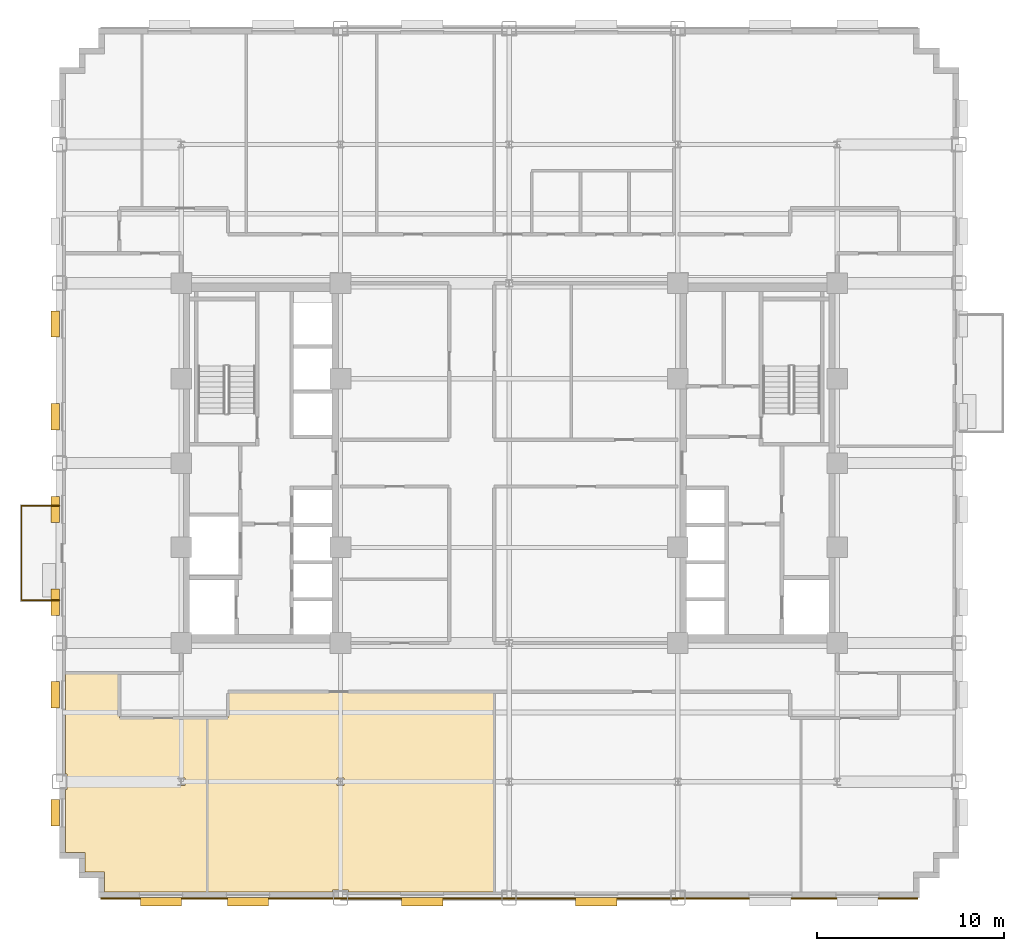
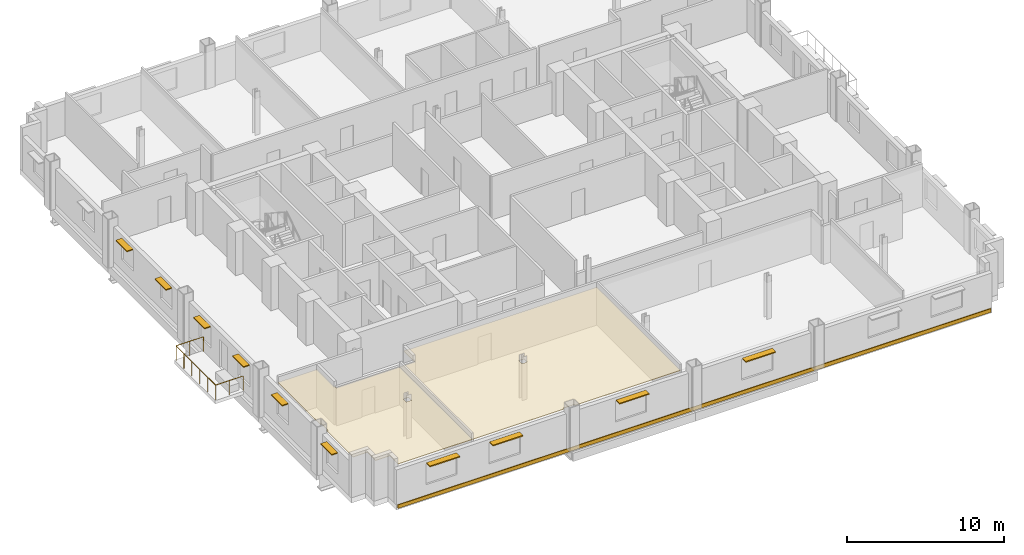
# One storey, part 11 of 15: 10 shading devices, 3 coverings, 1 railing.
"""IFC4 building model written with IfcOpenShell, lengths in metres."""

import ifcopenshell
import ifcopenshell.guid

model = None  # the IFC model being written
_history = None  # IfcOwnerHistory: only IFC2X3 demands one
_inside = {}  # id of a spatial element -> (the spatial element, [elements in it])
_under = {}  # id of a project, library or spatial element -> (it, [spatial elements below it])
_declared = {}  # id of a project -> (the project, [libraries it declares])
_typed = {}  # id of a type object -> (the type object, [elements of that type])
_made_of = {}  # id of a material, layer set ... -> (it, [elements and type objects made of it])


def new_model(schema):
    """Start an empty IFC model of exactly this schema.

    Asked for "IFC4X3", IfcOpenShell would pick the latest addendum, in which some entities
    have other attributes; the version numbers below select the first issue.
    IFC2X3 requires an IfcOwnerHistory on every rooted entity: one is made here for all.
    """
    global model, _history
    if schema == "IFC4X3":
        model = ifcopenshell.file(schema_version=(4, 3, 0, 0))
    else:
        model = ifcopenshell.file(schema=schema)
    _inside.clear()
    _under.clear()
    _declared.clear()
    _typed.clear()
    _made_of.clear()
    _history = None
    if model.schema == "IFC2X3":
        org = make("IfcOrganization", Name="unknown")
        user = make(
            "IfcPersonAndOrganization",
            ThePerson=make("IfcPerson", FamilyName="unknown"),
            TheOrganization=org,
        )
        app = make(
            "IfcApplication",
            ApplicationDeveloper=org,
            Version="unknown",
            ApplicationFullName="unknown",
            ApplicationIdentifier="unknown",
        )
        _history = make(
            "IfcOwnerHistory",
            OwningUser=user,
            OwningApplication=app,
            ChangeAction="ADDED",
            CreationDate=0,
        )
    return model


def make(cls, **values):
    """One entity of the class cls with the attributes given. An attribute that is None is left unset."""
    return model.create_entity(
        cls, **{name: value for name, value in values.items() if value is not None}
    )


def rooted(cls, **values):
    """An entity with a GlobalId (a new one), such as an element, a storey or a relation."""
    return make(cls, GlobalId=ifcopenshell.guid.new(), OwnerHistory=_history, **values)


def si_unit(unit_type, name, prefix=None):
    """IfcSIUnit, for example si_unit("LENGTHUNIT", "METRE", prefix="MILLI")."""
    return make("IfcSIUnit", UnitType=unit_type, Prefix=prefix, Name=name)


def assignment(units):
    """IfcUnitAssignment: the units of a project."""
    return None if units is None else make("IfcUnitAssignment", Units=units)


def point(xyz):
    """IfcCartesianPoint."""
    return None if xyz is None else make("IfcCartesianPoint", Coordinates=xyz)


def direction(xyz):
    """IfcDirection."""
    return None if xyz is None else make("IfcDirection", DirectionRatios=xyz)


def frame(location, z_axis=None, x_axis=None):
    """IfcAxis2Placement3D, a coordinate frame: its origin and axes. An axis left out is left unset."""
    return make(
        "IfcAxis2Placement3D",
        Location=point(location),
        Axis=direction(z_axis),
        RefDirection=direction(x_axis),
    )


def frame_2d(location, x_axis=None):
    """IfcAxis2Placement2D, a coordinate frame in the plane: its origin and x axis."""
    return make(
        "IfcAxis2Placement2D", Location=point(location), RefDirection=direction(x_axis)
    )


def origin():
    """The frame at (0, 0, 0) with its axes left unset."""
    return frame((0.0, 0.0, 0.0))


def origin_2d():
    """The frame at (0, 0) in the plane with its x axis left unset."""
    return frame_2d((0.0, 0.0))


def place(relative_to, where):
    """IfcLocalPlacement: puts the frame where relative to a parent placement (None: the world)."""
    return make(
        "IfcLocalPlacement", PlacementRelTo=relative_to, RelativePlacement=where
    )


def context(
    kind, dimensions, precision=None, world=None, true_north=None, identifier=None
):
    """IfcGeometricRepresentationContext, for example the 3D "Model" context."""
    return make(
        "IfcGeometricRepresentationContext",
        ContextIdentifier=identifier,
        ContextType=kind,
        CoordinateSpaceDimension=dimensions,
        Precision=precision,
        WorldCoordinateSystem=world,
        TrueNorth=true_north,
    )


def subcontext(parent, identifier, kind, view, scale=None):
    """IfcGeometricRepresentationSubContext, for example "Body" below "Model"."""
    return make(
        "IfcGeometricRepresentationSubContext",
        ContextIdentifier=identifier,
        ContextType=kind,
        ParentContext=parent,
        TargetScale=scale,
        TargetView=view,
    )


def project(units=None, contexts=None):
    """IfcProject with its units and contexts."""
    return rooted(
        "IfcProject",
        Name="project",
        RepresentationContexts=contexts,
        UnitsInContext=assignment(units),
    )


def spatial(cls, under=None, at=None, **own):
    """A site, building, storey or space (cls), placed at a placement, below another one or the project."""
    s = rooted(cls, ObjectPlacement=at, **own)
    if under is not None:
        _under.setdefault(under.id(), (under, []))[1].append(s)
    return s


def polyline(points):
    """IfcPolyline through the points."""
    return make("IfcPolyline", Points=[point(p) for p in points])


def profile(cls, at=None, kind="AREA", **sizes):
    """A parametric profile (cls). Its sizes go by their IFC names, for example OverallWidth=200.0."""
    return make(cls, ProfileType=kind, Position=at, **sizes)


def rectangle(**sizes):
    """IfcRectangleProfileDef."""
    return profile("IfcRectangleProfileDef", **sizes)


def circle(**sizes):
    """IfcCircleProfileDef."""
    return profile("IfcCircleProfileDef", **sizes)


def outline(outer, holes=None, kind="AREA"):
    """IfcArbitraryClosedProfileDef: a profile drawn as a closed curve; with holes, ...WithVoids."""
    if holes is None:
        return make("IfcArbitraryClosedProfileDef", ProfileType=kind, OuterCurve=outer)
    return make(
        "IfcArbitraryProfileDefWithVoids",
        ProfileType=kind,
        OuterCurve=outer,
        InnerCurves=holes,
    )


def extrude(swept, where, along, depth):
    """IfcExtrudedAreaSolid: the profile swept, set in the frame where, extruded along a direction by depth."""
    return make(
        "IfcExtrudedAreaSolid",
        SweptArea=swept,
        Position=where,
        ExtrudedDirection=direction(along),
        Depth=depth,
    )


def shape(context_of_items, identifier, shape_type, items):
    """IfcShapeRepresentation: the items that make up one representation, for example the "Body"."""
    return make(
        "IfcShapeRepresentation",
        ContextOfItems=context_of_items,
        RepresentationIdentifier=identifier,
        RepresentationType=shape_type,
        Items=items,
    )


def source(mapping_origin, context_of_items, identifier, shape_type, items):
    """IfcRepresentationMap: a shape defined once, which mapped items show again and again."""
    return make(
        "IfcRepresentationMap",
        MappingOrigin=mapping_origin,
        MappedRepresentation=shape(context_of_items, identifier, shape_type, items),
    )


def transform(
    local_origin,
    x_axis=None,
    y_axis=None,
    z_axis=None,
    scale=None,
    scale2=None,
    scale3=None,
    uniform=True,
):
    """IfcCartesianTransformationOperator3D, or its non-uniform kind. x_axis, y_axis, z_axis: its Axis1, 2, 3."""
    if uniform:
        return make(
            "IfcCartesianTransformationOperator3D",
            Axis1=direction(x_axis),
            Axis2=direction(y_axis),
            LocalOrigin=point(local_origin),
            Scale=scale,
            Axis3=direction(z_axis),
        )
    return make(
        "IfcCartesianTransformationOperator3DnonUniform",
        Axis1=direction(x_axis),
        Axis2=direction(y_axis),
        LocalOrigin=point(local_origin),
        Scale=scale,
        Axis3=direction(z_axis),
        Scale2=scale2,
        Scale3=scale3,
    )


def mapped(mapping_source, mapping_target):
    """IfcMappedItem: shows the shape of a source again, moved by a transform."""
    return make(
        "IfcMappedItem", MappingSource=mapping_source, MappingTarget=mapping_target
    )


def material(Name=None, Category=None):
    """IfcMaterial."""
    return make("IfcMaterial", Name=Name, Category=Category)


def layer(
    of_material, thickness, ventilated=None, Name=None, Category=None, Priority=None
):
    """IfcMaterialLayer: one layer of a wall or slab, of a material (None: an air gap)."""
    return make(
        "IfcMaterialLayer",
        Material=of_material,
        LayerThickness=thickness,
        IsVentilated=ventilated,
        Name=Name,
        Category=Category,
        Priority=Priority,
    )


def layer_set(layers, Name=None):
    """IfcMaterialLayerSet."""
    return make("IfcMaterialLayerSet", MaterialLayers=layers, LayerSetName=Name)


def made_of(thing, what):
    """Note that an element or type object is made of a material, layer set ...; save() writes the relation."""
    if what is not None:
        _made_of.setdefault(what.id(), (what, []))[1].append(thing)
    return thing


def type_object(cls, material=None, **own):
    """A type object (cls), such as IfcWallType, which elements share."""
    return made_of(rooted(cls, **own), material)


def type_shapes(of_type, sources):
    """Give a type object the sources (RepresentationMaps) that its elements show as mapped items."""
    of_type.RepresentationMaps = sources


def element(
    cls,
    number,
    at=None,
    inside=None,
    cuts=None,
    type_object=None,
    material=None,
    context=None,
    identifier="Body",
    shape_type=None,
    held_by="IfcProductDefinitionShape",
    body=None,
    shapes=None,
    **own,
):
    """One element of the class cls, such as IfcWall. Its Tag is "e" and its number.

    at: its placement. inside: the storey or other place that contains it. cuts: it is an
    opening in that element (IfcRelVoidsElement). A single representation is given by context,
    identifier, shape_type and body (its items); several are given by shapes. held_by: the class
    of the entity that holds the representations. save() writes the other relations.
    """
    e = rooted(cls, Tag="e%d" % number, ObjectPlacement=at, **own)
    if body is not None:
        shapes = [shape(context, identifier, shape_type, body)]
    if shapes is not None:
        e.Representation = make(held_by, Representations=shapes)
    if inside is not None:
        _inside.setdefault(inside.id(), (inside, []))[1].append(e)
    if cuts is not None:
        rooted(
            "IfcRelVoidsElement", RelatingBuildingElement=cuts, RelatedOpeningElement=e
        )
    if type_object is not None:
        _typed.setdefault(type_object.id(), (type_object, []))[1].append(e)
    return made_of(e, material)


def aggregate(whole, parts):
    """IfcRelAggregates: a whole, such as a stair, and the parts it consists of."""
    return rooted("IfcRelAggregates", RelatingObject=whole, RelatedObjects=parts)


def save(model, path):
    """Write the relations noted so far, then the file.

    IfcRelAggregates (storeys below a building ...), IfcRelContainedInSpatialStructure (elements
    in a storey), IfcRelDefinesByType, IfcRelAssociatesMaterial and IfcRelDeclares: one each for
    every whole, place, type object, material and project.
    """
    for whole, parts in _under.values():
        aggregate(whole, parts)
    for where, things in _inside.values():
        rooted(
            "IfcRelContainedInSpatialStructure",
            RelatedElements=things,
            RelatingStructure=where,
        )
    for kind, things in _typed.values():
        rooted("IfcRelDefinesByType", RelatedObjects=things, RelatingType=kind)
    for what, things in _made_of.values():
        rooted("IfcRelAssociatesMaterial", RelatedObjects=things, RelatingMaterial=what)
    for by, libraries in _declared.values():
        rooted("IfcRelDeclares", RelatingContext=by, RelatedDefinitions=libraries)
    model.write(path)


model = new_model("IFC4")

# Units and contexts
model_context = context("Model", 3, precision=1e-05, world=origin(), true_north=direction((0.0, 1.0)))
body_context = subcontext(model_context, "Body", "Model", "MODEL_VIEW")
ifc_project = project(units=[si_unit("LENGTHUNIT", "METRE"), si_unit("AREAUNIT", "SQUARE_METRE"), si_unit("VOLUMEUNIT", "CUBIC_METRE"), si_unit("PLANEANGLEUNIT", "RADIAN"), si_unit("MASSUNIT", "GRAM", prefix="KILO")], contexts=[model_context])

# Site, building, storey
site_placement = place(None, origin())
site = spatial("IfcSite", under=ifc_project, at=site_placement, CompositionType="ELEMENT")
building_placement = place(site_placement, origin())
building = spatial("IfcBuilding", under=site, at=building_placement, Name="Nuvemarco Arch Tower", CompositionType="ELEMENT")
storey_placement = place(building_placement, frame((0.0, 0.0, 86.0)))
storey = spatial("IfcBuildingStorey", under=building, at=storey_placement, Name="L22", CompositionType="ELEMENT", Elevation=86.0)

# Coverings
ifc_material_1 = material(Name="Mineral acoustic ceiling tile")
ifc_layer_1 = layer(ifc_material_1, 0.0400390625, Name="COV-ACOUSTIC-CLG")
ifc_layer_set_1 = layer_set([ifc_layer_1], Name="Mineral acoustic ceiling tile")
covering_type_1 = type_object("IfcCoveringType", Name="COV-ACOUSTIC-CLG", PredefinedType="CEILING", material=ifc_layer_set_1)
covering_1_placement = place(storey_placement, frame((0.0, 0.0, 2.85009765625)))
element("IfcCovering", 1, at=covering_1_placement, inside=storey, type_object=covering_type_1, Name="L22 suspended acoustic ceiling 2", PredefinedType="CEILING", context=body_context, shape_type="SweptSolid", body=[
    extrude(outline(polyline([(-3.199951171875, -12.199951171875), (-0.800048828125, -12.199951171875), (-0.800048828125, -22.8798828125), (-8.5849609375, -22.8798828125), (-8.5849609375, -22.784912109375), (-9.4150390625, -22.784912109375), (-9.4150390625, -22.8798828125), (-16.110107421875, -22.8798828125), (-16.110107421875, -13.60009765625), (-15.0, -13.60009765625), (-15.0, -12.199951171875), (-3.199951171875, -12.199951171875)]), holes=[polyline([(-8.804931640625, -17.195068359375), (-8.804931640625, -16.804931640625), (-9.195068359375, -16.804931640625), (-9.195068359375, -17.195068359375), (-8.804931640625, -17.195068359375)])]), origin(), (0.0, 0.0, 1.0), 0.039794921875),
])
covering_2_placement = place(storey_placement, frame((0.0, 0.0, 2.85009765625)))
element("IfcCovering", 2, at=covering_2_placement, inside=storey, type_object=covering_type_1, Name="L22 suspended acoustic ceiling 7", PredefinedType="CEILING", context=body_context, shape_type="SweptSolid", body=[
    extrude(outline(polyline([(-23.679931640625, -20.780029296875), (-23.679931640625, -17.4150390625), (-23.5849609375, -17.4150390625), (-23.5849609375, -16.5849609375), (-23.679931640625, -16.5849609375), (-23.679931640625, -11.199951171875), (-20.800048828125, -11.199951171875), (-20.800048828125, -13.60009765625), (-16.110107421875, -13.60009765625), (-16.110107421875, -22.8798828125), (-21.580078125, -22.8798828125), (-21.580078125, -21.830078125), (-22.6298828125, -21.830078125), (-22.6298828125, -20.780029296875), (-23.679931640625, -20.780029296875)]), holes=[polyline([(-17.304931640625, -16.804931640625), (-17.695068359375, -16.804931640625), (-17.695068359375, -17.195068359375), (-17.304931640625, -17.195068359375), (-17.304931640625, -16.804931640625)])]), origin(), (0.0, 0.0, 1.0), 0.039794921875),
])

# Railing
ifc_material_2 = material(Name="Dark anodised balustrade steel S355", Category="steel")
railing_type = type_object("IfcRailingType", Name="RL-TERR-GUARD", PredefinedType="BALUSTRADE", material=ifc_material_2)
railing_placement = place(storey_placement, frame((-24.0, -7.320068359375, 0.0)))
element("IfcRailing", 3, at=railing_placement, inside=storey, type_object=railing_type, Name="L22 tree balcony perimeter balustrade guard", PredefinedType="BALUSTRADE", context=body_context, shape_type="SweptSolid", body=[
    extrude(circle(Radius=0.02392578125, at=origin_2d()), frame((0.0, 0.0, 1.1259765625), z_axis=(-1.0, 0.0, 0.0), x_axis=(0.0, -1.0, 0.0)), (0.0, 0.0, 1.0), 2.02001953125),
    extrude(circle(Radius=0.02392578125, at=origin_2d()), frame((-2.02001953125, 0.0, 1.1259765625), z_axis=(0.0, 1.0, 0.0), x_axis=(-1.0, 0.0, 0.0)), (0.0, 0.0, 1.0), 5.0400390625),
    extrude(circle(Radius=0.02392578125, at=origin_2d()), frame((-2.02001953125, 5.0400390625, 1.1259765625), z_axis=(1.0, 0.0, 0.0), x_axis=(0.0, 1.0, 0.0)), (0.0, 0.0, 1.0), 2.02001953125),
    extrude(circle(Radius=0.02099609375, at=origin_2d()), origin(), (0.0, 0.0, 1.0), 1.101806640625),
    extrude(circle(Radius=0.02099609375, at=origin_2d()), frame((-1.010009765625, 0.0, 0.0)), (0.0, 0.0, 1.0), 1.101806640625),
    extrude(circle(Radius=0.02099609375, at=origin_2d()), frame((-2.02001953125, 0.0, 0.0)), (0.0, 0.0, 1.0), 1.101806640625),
    extrude(circle(Radius=0.02099609375, at=origin_2d()), frame((-2.02001953125, 1.008056640625, 0.0)), (0.0, 0.0, 1.0), 1.101806640625),
    extrude(circle(Radius=0.02099609375, at=origin_2d()), frame((-2.02001953125, 2.01611328125, 0.0)), (0.0, 0.0, 1.0), 1.101806640625),
    extrude(circle(Radius=0.02099609375, at=origin_2d()), frame((-2.02001953125, 3.02392578125, 0.0)), (0.0, 0.0, 1.0), 1.101806640625),
    extrude(circle(Radius=0.02099609375, at=origin_2d()), frame((-2.02001953125, 4.031982421875, 0.0)), (0.0, 0.0, 1.0), 1.101806640625),
    extrude(circle(Radius=0.02099609375, at=origin_2d()), frame((-2.02001953125, 5.0400390625, 0.0)), (0.0, 0.0, 1.0), 1.101806640625),
    extrude(circle(Radius=0.02099609375, at=origin_2d()), frame((-1.010009765625, 5.0400390625, 0.0)), (0.0, 0.0, 1.0), 1.101806640625),
    extrude(circle(Radius=0.02099609375, at=origin_2d()), frame((0.0, 5.0400390625, 0.0)), (0.0, 0.0, 1.0), 1.101806640625),
])

# Shading devices
ifc_material_3 = material(Name="Anodised aluminium 6063-T6", Category="aluminium")
shading_device_type_1 = type_object("IfcShadingDeviceType", Name="SHD-BRISE-SOLEIL", PredefinedType="USERDEFINED", material=ifc_material_3)
shared_shape_1 = source(origin(), body_context, "Body", "SweptSolid", [
    extrude(rectangle(XDim=2.199951171875, YDim=0.449951171875, at=origin_2d()), origin(), (0.0, 0.0, 1.0), 0.080078125),
])
type_shapes(shading_device_type_1, [shared_shape_1])
for number, where, z_axis, x_axis, name in (
    (4, (-18.577880859375, -23.4150390625, 2.425048828125), (0.0, 0.0, 1.0), (1.0, 0.0, 0.0), "L22 horizontal brise-soleil sunshade"),
    (5, (-13.933349609375, -23.4150390625, 2.425048828125), (0.0, 0.0, 1.0), (1.0, 0.0, 0.0), "L22 horizontal brise-soleil sunshade"),
    (6, (-4.644287109375, -23.4150390625, 2.425048828125), (0.0, 0.0, 1.0), (1.0, 0.0, 0.0), "L22 horizontal brise-soleil sunshade"),
    (7, (4.644287109375, -23.4150390625, 2.425048828125), (0.0, 0.0, 1.0), (1.0, 0.0, 0.0), "L22 horizontal brise-soleil sunshade"),
):
    element("IfcShadingDevice", number, at=place(storey_placement, frame(where, z_axis=z_axis, x_axis=x_axis)), inside=storey, type_object=shading_device_type_1, Name=name, ObjectType="SUNSHADE", PredefinedType="USERDEFINED", context=body_context, shape_type="MappedRepresentation", body=[
        mapped(shared_shape_1, transform((0.0, 0.0, 0.0), scale=1.0)),
    ])
shading_device_type_2 = type_object("IfcShadingDeviceType", Name="SHD-BRISE-NARROW", PredefinedType="USERDEFINED", material=ifc_material_3)
shared_shape_2 = source(origin(), body_context, "Body", "SweptSolid", [
    extrude(rectangle(XDim=1.39990234375, YDim=0.449951171875, at=origin_2d()), origin(), (0.0, 0.0, 1.0), 0.080078125),
])
type_shapes(shading_device_type_2, [shared_shape_2])
for number, where, z_axis, x_axis, name in (
    (8, (-24.215087890625, -18.660888671875, 2.405029296875), (0.0, 0.0, 1.0), (0.0, 1.0, 0.0), "L22 horizontal brise-soleil sunshade"),
    (9, (-24.215087890625, -12.364990234375, 2.405029296875), (0.0, 0.0, 1.0), (0.0, 1.0, 0.0), "L22 horizontal brise-soleil sunshade"),
    (10, (-24.215087890625, -7.4189453125, 2.405029296875), (0.0, 0.0, 1.0), (0.0, 1.0, 0.0), "L22 horizontal brise-soleil sunshade"),
    (11, (-24.215087890625, -2.472900390625, 2.405029296875), (0.0, 0.0, 1.0), (0.0, 1.0, 0.0), "L22 horizontal brise-soleil sunshade"),
    (12, (-24.215087890625, 2.472900390625, 2.405029296875), (0.0, 0.0, 1.0), (0.0, 1.0, 0.0), "L22 horizontal brise-soleil sunshade"),
    (13, (-24.215087890625, 7.4189453125, 2.405029296875), (0.0, 0.0, 1.0), (0.0, 1.0, 0.0), "L22 horizontal brise-soleil sunshade"),
):
    element("IfcShadingDevice", number, at=place(storey_placement, frame(where, z_axis=z_axis, x_axis=x_axis)), inside=storey, type_object=shading_device_type_2, Name=name, ObjectType="SUNSHADE", PredefinedType="USERDEFINED", context=body_context, shape_type="MappedRepresentation", body=[
        mapped(shared_shape_2, transform((0.0, 0.0, 0.0), scale=1.0)),
    ])

# Covering
ifc_material_4 = material(Name="Precast concrete C45/55", Category="concrete")
ifc_layer_2 = layer(ifc_material_4, 0.06005859375, Name="COV-SPANDREL-CLAD")
ifc_layer_set_2 = layer_set([ifc_layer_2], Name="Precast concrete C45/55")
covering_type_2 = type_object("IfcCoveringType", Name="COV-SPANDREL-CLAD", PredefinedType="CLADDING", material=ifc_layer_set_2)
shared_shape_3 = source(origin(), body_context, "Body", "SweptSolid", [
    extrude(rectangle(XDim=43.60009765625, YDim=0.06005859375, at=origin_2d()), origin(), (0.0, 0.0, 1.0), 0.280029296875),
])
type_shapes(covering_type_2, [shared_shape_3])
covering_3_placement = place(storey_placement, frame((0.0, -23.22900390625, -0.27978515625), z_axis=(0.0, 0.0, 1.0), x_axis=(1.0, 0.0, 0.0)))
element("IfcCovering", 14, at=covering_3_placement, inside=storey, type_object=covering_type_2, Name="L22 precast spandrel edge cladding south", PredefinedType="CLADDING", context=body_context, shape_type="MappedRepresentation", body=[
    mapped(shared_shape_3, transform((0.0, 0.0, 0.0), scale=1.0)),
])

save(model, "model.ifc")
